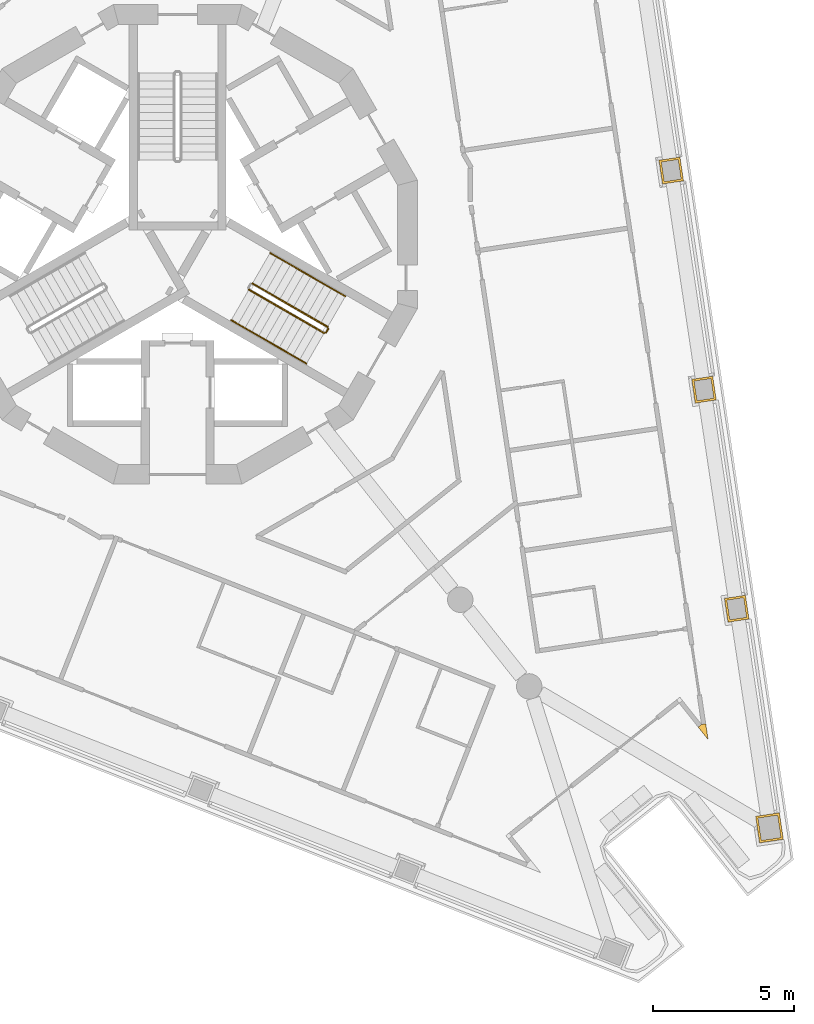
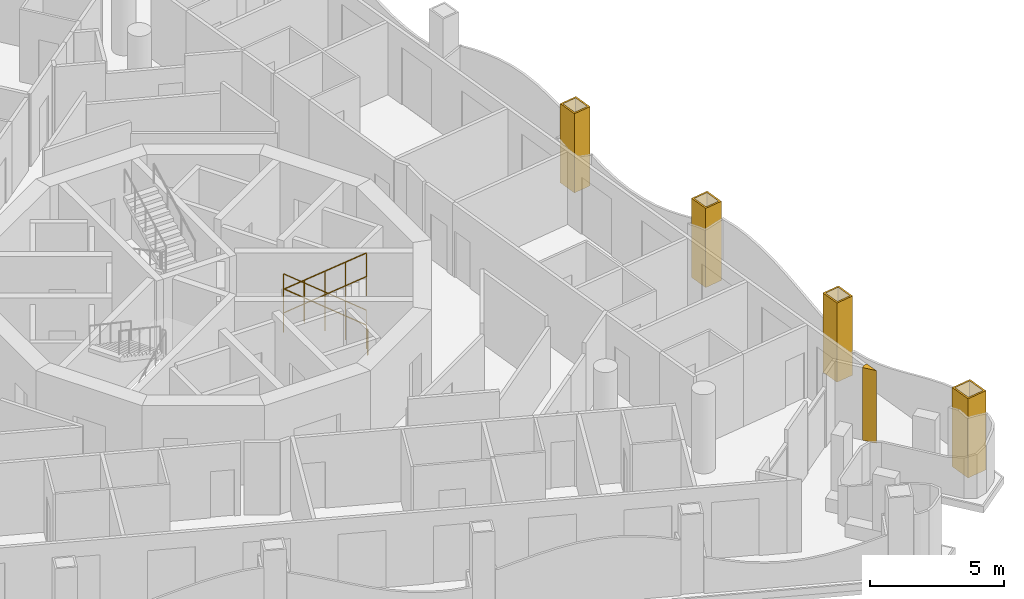
# One storey, part 14 of 16: 7 railings, 5 coverings.
"""IFC4 building model written with IfcOpenShell, lengths in metres."""

from ifc_helpers import new_model, si_unit, direction, frame, origin, origin_2d, place, context, subcontext, project, spatial, polyline, circle, outline, extrude, material, layer, layer_set, type_object, element, save


model = new_model("IFC4")

# Units and contexts
model_context = context("Model", 3, precision=1e-05, world=origin(), true_north=direction((0.0, 1.0)))
body_context = subcontext(model_context, "Body", "Model", "MODEL_VIEW")
ifc_project = project(units=[si_unit("LENGTHUNIT", "METRE"), si_unit("AREAUNIT", "SQUARE_METRE"), si_unit("VOLUMEUNIT", "CUBIC_METRE"), si_unit("PLANEANGLEUNIT", "RADIAN"), si_unit("MASSUNIT", "GRAM", prefix="KILO")], contexts=[model_context])

# Site, building, storey
site_placement = place(None, origin())
site = spatial("IfcSite", under=ifc_project, at=site_placement, CompositionType="ELEMENT")
building_placement = place(site_placement, origin())
building = spatial("IfcBuilding", under=site, at=building_placement, Name="Trine Commons Tower", CompositionType="ELEMENT")
storey_placement = place(building_placement, frame((0.0, 0.0, 201.60009765625)))
storey = spatial("IfcBuildingStorey", under=building, at=storey_placement, Name="L52", CompositionType="ELEMENT", Elevation=201.60009765625)

# Coverings
ifc_material_1 = material(Name="Aluminium-framed insulated wall panel", Category="aluminium")
ifc_layer_1 = layer(ifc_material_1, 0.14990234375)
ifc_layer_set_1 = layer_set([ifc_layer_1], Name="Aluminium-framed insulated wall panel")
covering_type_1 = type_object("IfcCoveringType", Name="Glazing corner post, aluminium", PredefinedType="CLADDING", material=ifc_layer_set_1)
covering_1_placement = place(storey_placement, origin())
element("IfcCovering", 1, at=covering_1_placement, inside=storey, type_object=covering_type_1, Name="Glazing corner post 6-06", PredefinedType="CLADDING", context=body_context, shape_type="SweptSolid", body=[
    extrude(outline(polyline([(98.4521484375, 45.390625), (98.800537109375, 44.95263671875), (98.718017578125, 45.506103515625), (98.569580078125, 45.484130859375), (98.4521484375, 45.390625)])), origin(), (0.0, 0.0, 1.0), 3.2998046875),
])
ifc_material_2 = material(Name="Limestone, honed", Category="masonry")
ifc_layer_2 = layer(ifc_material_2, 0.074951171875)
ifc_layer_set_2 = layer_set([ifc_layer_2], Name="Limestone, honed")
covering_type_2 = type_object("IfcCoveringType", Name="Limestone column cladding 75", PredefinedType="CLADDING", material=ifc_layer_set_2)
covering_2_placement = place(storey_placement, origin())
element("IfcCovering", 2, at=covering_2_placement, inside=storey, type_object=covering_type_2, Name="Limestone pier cladding 6-18", PredefinedType="CLADDING", context=body_context, shape_type="SweptSolid", body=[
    extrude(outline(polyline([(97.80419921875, 65.590576171875), (97.0625, 65.479736328125), (97.18798828125, 64.638916015625), (97.9296875, 64.75), (97.80419921875, 65.590576171875)]), holes=[polyline([(97.7412109375, 65.50537109375), (97.147705078125, 65.41650390625), (97.251220703125, 64.724365234375), (97.844482421875, 64.81298828125), (97.7412109375, 65.50537109375)])]), origin(), (0.0, 0.0, 1.0), 3.599853515625),
])
covering_3_placement = place(storey_placement, origin())
element("IfcCovering", 3, at=covering_3_placement, inside=storey, type_object=covering_type_2, Name="Limestone pier cladding 6-19", PredefinedType="CLADDING", context=body_context, shape_type="SweptSolid", body=[
    extrude(outline(polyline([(98.964599609375, 57.826171875), (98.222900390625, 57.71533203125), (98.348388671875, 56.87451171875), (99.090087890625, 56.985595703125), (98.964599609375, 57.826171875)]), holes=[polyline([(98.901611328125, 57.740966796875), (98.30810546875, 57.652099609375), (98.41162109375, 56.9599609375), (99.0048828125, 57.048583984375), (98.901611328125, 57.740966796875)])]), origin(), (0.0, 0.0, 1.0), 3.599853515625),
])
covering_4_placement = place(storey_placement, origin())
element("IfcCovering", 4, at=covering_4_placement, inside=storey, type_object=covering_type_2, Name="Limestone pier cladding 6-20", PredefinedType="CLADDING", context=body_context, shape_type="SweptSolid", body=[
    extrude(outline(polyline([(100.125, 50.06201171875), (99.38330078125, 49.950927734375), (99.5087890625, 49.1103515625), (100.25048828125, 49.22119140625), (100.125, 50.06201171875)]), holes=[polyline([(100.06201171875, 49.9765625), (99.468505859375, 49.887939453125), (99.572021484375, 49.195556640625), (100.165283203125, 49.2841796875), (100.06201171875, 49.9765625)])]), origin(), (0.0, 0.0, 1.0), 3.599853515625),
])
covering_5_placement = place(storey_placement, origin())
element("IfcCovering", 5, at=covering_5_placement, inside=storey, type_object=covering_type_2, Name="Limestone pier cladding 6-21", PredefinedType="CLADDING", context=body_context, shape_type="SweptSolid", body=[
    extrude(outline(polyline([(101.327392578125, 42.354248046875), (100.48681640625, 42.228759765625), (100.627197265625, 41.2890625), (101.4677734375, 41.414794921875), (101.327392578125, 42.354248046875)]), holes=[polyline([(101.264404296875, 42.26904296875), (100.572021484375, 42.16552734375), (100.690185546875, 41.37451171875), (101.382568359375, 41.477783203125), (101.264404296875, 42.26904296875)])]), origin(), (0.0, 0.0, 1.0), 3.599853515625),
])

# Railings
ifc_material_3 = material(Name="Stainless steel balustrade", Category="steel")
railing_type_1 = type_object("IfcRailingType", Name="Stair guard, steel balustrade 1100", PredefinedType="GUARDRAIL", material=ifc_material_3)
railing_1_placement = place(storey_placement, frame((85.31982421875, 59.572998046875, 0.14990234375)))
element("IfcRailing", 6, at=railing_1_placement, inside=storey, type_object=railing_type_1, Name="L52 ST3C stair guard 1", PredefinedType="GUARDRAIL", context=body_context, shape_type="SweptSolid", body=[
    extrude(circle(Radius=0.02392578125, at=origin_2d()), frame((0.0, 0.0, 1.076171875), z_axis=(-0.76340495495, 0.440743040072, 0.472184759798), x_axis=(-0.499992328818, -0.866029832698, 0.0)), (0.0, 0.0, 1.0), 3.494140625),
    extrude(circle(Radius=0.02099609375, at=origin_2d()), origin(), (0.0, 0.0, 1.0), 1.052001953125),
    extrude(circle(Radius=0.02099609375, at=origin_2d()), frame((-0.6669921875, 0.385009765625, 0.41259765625)), (0.0, 0.0, 1.0), 1.052001953125),
    extrude(circle(Radius=0.02099609375, at=origin_2d()), frame((-1.333740234375, 0.77001953125, 0.824951171875)), (0.0, 0.0, 1.0), 1.052001953125),
    extrude(circle(Radius=0.02099609375, at=origin_2d()), frame((-2.00048828125, 1.155029296875, 1.2373046875)), (0.0, 0.0, 1.0), 1.052001953125),
    extrude(circle(Radius=0.02099609375, at=origin_2d()), frame((-2.66748046875, 1.5400390625, 1.64990234375)), (0.0, 0.0, 1.0), 1.052001953125),
])
railing_2_placement = place(storey_placement, frame((82.52734375, 60.896484375, 1.949951171875)))
element("IfcRailing", 7, at=railing_2_placement, inside=storey, type_object=railing_type_1, Name="L52 ST3C stair guard 3", PredefinedType="GUARDRAIL", context=body_context, shape_type="SweptSolid", body=[
    extrude(circle(Radius=0.02392578125, at=origin_2d()), frame((0.0, 0.0, 1.076171875), z_axis=(0.76340495495, -0.440743040072, 0.472184759798), x_axis=(0.499992328818, 0.866029832698, 0.0)), (0.0, 0.0, 1.0), 3.494140625),
    extrude(circle(Radius=0.02099609375, at=origin_2d()), origin(), (0.0, 0.0, 1.0), 1.052001953125),
    extrude(circle(Radius=0.02099609375, at=origin_2d()), frame((0.6669921875, -0.385009765625, 0.41259765625)), (0.0, 0.0, 1.0), 1.052001953125),
    extrude(circle(Radius=0.02099609375, at=origin_2d()), frame((1.333740234375, -0.77001953125, 0.824951171875)), (0.0, 0.0, 1.0), 1.052001953125),
    extrude(circle(Radius=0.02099609375, at=origin_2d()), frame((2.00048828125, -1.155029296875, 1.2373046875)), (0.0, 0.0, 1.0), 1.052001953125),
    extrude(circle(Radius=0.02099609375, at=origin_2d()), frame((2.66748046875, -1.5400390625, 1.64990234375)), (0.0, 0.0, 1.0), 1.052001953125),
])
railing_3_placement = place(storey_placement, frame((85.338134765625, 59.504638671875, 0.0)))
element("IfcRailing", 8, at=railing_3_placement, inside=storey, type_object=railing_type_1, Name="L52 ST3C stair guard 4", PredefinedType="GUARDRAIL", context=body_context, shape_type="SweptSolid", body=[
    extrude(circle(Radius=0.02392578125, at=origin_2d()), frame((0.0, 0.0, 1.076171875), z_axis=(-0.499816412211, -0.866131372301, 0.0), x_axis=(0.866131372301, -0.499816412211, 0.0)), (0.0, 0.0, 1.0), 0.14990234375),
    extrude(circle(Radius=0.02099609375, at=origin_2d()), origin(), (0.0, 0.0, 1.0), 1.052001953125),
    extrude(circle(Radius=0.02099609375, at=origin_2d()), frame((-0.074951171875, -0.1298828125, 0.0)), (0.0, 0.0, 1.0), 1.052001953125),
])
ifc_material_4 = material(Name="Stainless steel handrail", Category="steel")
railing_type_2 = type_object("IfcRailingType", Name="Stair handrail, steel 900", PredefinedType="HANDRAIL", material=ifc_material_4)
for number, where, name in (
    (9, (85.94482421875, 60.655517578125, 0.14990234375), "L52 ST3C stair handrail 1"),
    (10, (84.611083984375, 61.425537109375, 0.974853515625), "L52 ST3C stair handrail 2"),
):
    element("IfcRailing", number, at=place(storey_placement, frame(where)), inside=storey, type_object=railing_type_2, Name=name, PredefinedType="HANDRAIL", context=body_context, shape_type="SweptSolid", body=[
        extrude(circle(Radius=0.02099609375, at=origin_2d()), frame((0.0, 0.0, 0.87890625), z_axis=(-0.76340495495, 0.440743040072, 0.472184759798), x_axis=(-0.499992328818, -0.866029832698, 0.0)), (0.0, 0.0, 1.0), 1.7470703125),
        extrude(circle(Radius=0.01513671875, at=origin_2d()), origin(), (0.0, 0.0, 1.0), 0.85791015625),
        extrude(circle(Radius=0.01513671875, at=origin_2d()), frame((-0.6669921875, 0.385009765625, 0.41259765625)), (0.0, 0.0, 1.0), 0.85791015625),
        extrude(circle(Radius=0.01513671875, at=origin_2d()), frame((-1.333740234375, 0.77001953125, 0.824951171875)), (0.0, 0.0, 1.0), 0.85791015625),
    ])
for number, where, name in (
    (11, (81.90234375, 59.81396484375, 1.949951171875), "L52 ST3C stair handrail 3"),
    (12, (83.236083984375, 59.0439453125, 2.77490234375), "L52 ST3C stair handrail 4"),
):
    element("IfcRailing", number, at=place(storey_placement, frame(where)), inside=storey, type_object=railing_type_2, Name=name, PredefinedType="HANDRAIL", context=body_context, shape_type="SweptSolid", body=[
        extrude(circle(Radius=0.02099609375, at=origin_2d()), frame((0.0, 0.0, 0.87890625), z_axis=(0.76340495495, -0.440743040072, 0.472184759798), x_axis=(0.499992328818, 0.866029832698, 0.0)), (0.0, 0.0, 1.0), 1.7470703125),
        extrude(circle(Radius=0.01513671875, at=origin_2d()), origin(), (0.0, 0.0, 1.0), 0.85791015625),
        extrude(circle(Radius=0.01513671875, at=origin_2d()), frame((0.6669921875, -0.385009765625, 0.41259765625)), (0.0, 0.0, 1.0), 0.85791015625),
        extrude(circle(Radius=0.01513671875, at=origin_2d()), frame((1.333740234375, -0.77001953125, 0.824951171875)), (0.0, 0.0, 1.0), 0.85791015625),
    ])

save(model, "model.ifc")
